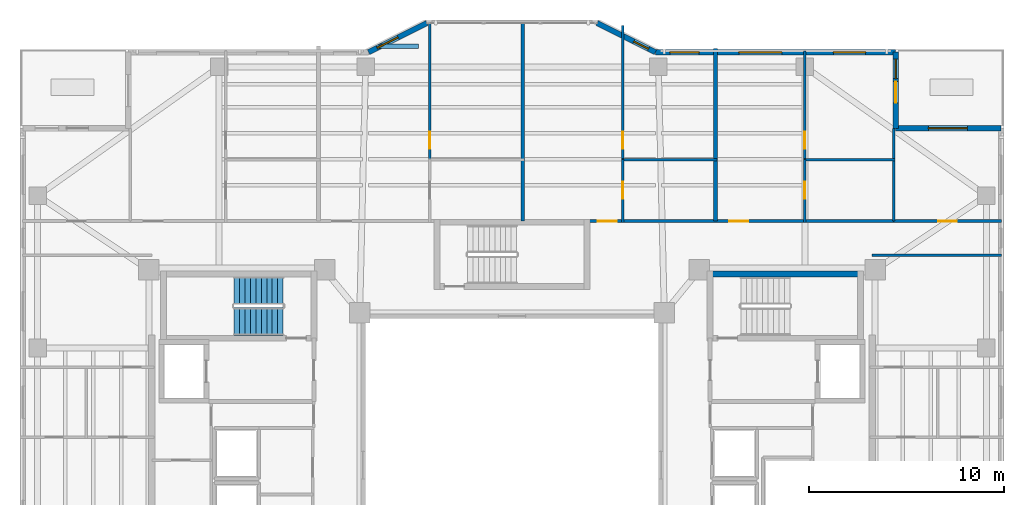
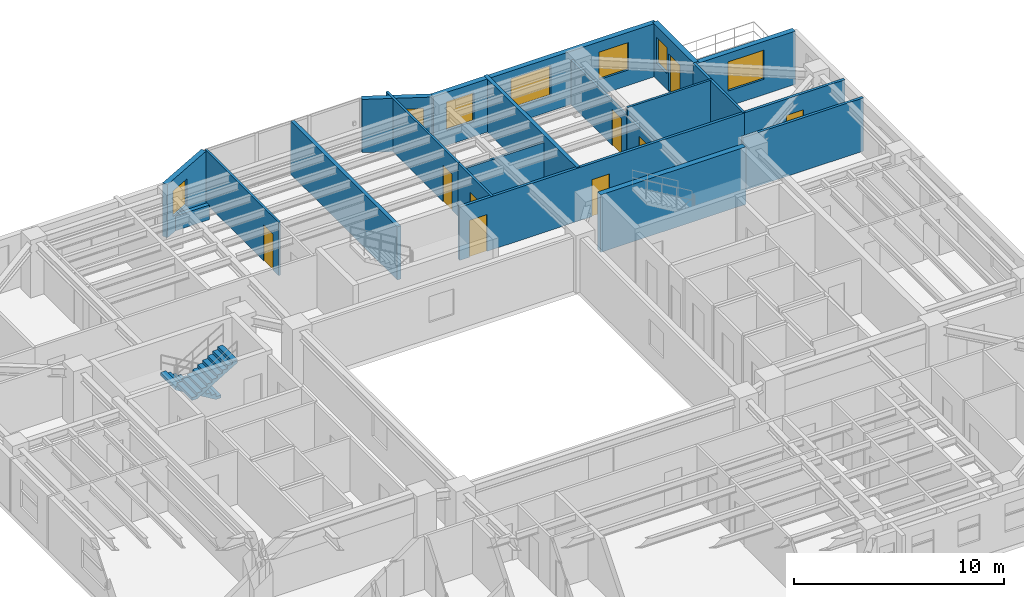
# One storey, part 11 of 17: 20 walls, 9 doors, 7 windows, 2 stair flights, 16 openings, 1 element without a shape of its own.
"""IFC4 building model written with IfcOpenShell, lengths in metres."""

from ifc_helpers import new_model, si_unit, direction, frame, frame_2d, origin, place, context, subcontext, project, spatial, polyline, rectangle, outline, extrude, material, layer, layer_set, type_object, element, fill, aggregate, save


model = new_model("IFC4")

# Units and contexts
model_context = context("Model", 3, precision=1e-05, world=origin(), true_north=direction((0.0, 1.0)))
body_context = subcontext(model_context, "Body", "Model", "MODEL_VIEW")
ifc_project = project(units=[si_unit("LENGTHUNIT", "METRE"), si_unit("AREAUNIT", "SQUARE_METRE"), si_unit("VOLUMEUNIT", "CUBIC_METRE"), si_unit("PLANEANGLEUNIT", "RADIAN"), si_unit("MASSUNIT", "GRAM", prefix="KILO")], contexts=[model_context])

# Site, building, storey
site_placement = place(None, origin())
site = spatial("IfcSite", under=ifc_project, at=site_placement, CompositionType="ELEMENT")
building_placement = place(site_placement, origin())
building = spatial("IfcBuilding", under=site, at=building_placement, Name="Tarnavaz Court Tower", CompositionType="ELEMENT")
storey_placement = place(building_placement, frame((0.0, 0.0, 132.60009765625)))
storey = spatial("IfcBuildingStorey", under=building, at=storey_placement, Name="L35", CompositionType="ELEMENT", Elevation=132.60009765625)

# Wall
ifc_material_1 = material(Name="Concrete C50/60", Category="concrete")
ifc_layer_1 = layer(ifc_material_1, 0.300048828125)
ifc_layer_set_1 = layer_set([ifc_layer_1], Name="Concrete C50/60")
wall_type_1 = type_object("IfcWallType", Name="WL-CORE-300-C50", PredefinedType="SHEAR", material=ifc_layer_set_1)
wall_1_placement = place(storey_placement, frame((10.0, 9.7900390625, 0.0), z_axis=(0.0, 0.0, 1.0), x_axis=(1.0, 0.0, 0.0)))
element("IfcWall", 1, at=wall_1_placement, inside=storey, type_object=wall_type_1, Name="L35 East Stair Core Wall 005", PredefinedType="SHEAR", context=body_context, shape_type="SweptSolid", body=[
    extrude(rectangle(XDim=8.0, YDim=0.300048828125, at=frame_2d((4.0, 0.0))), origin(), (0.0, 0.0, 1.0), 3.349853515625),
])

# Wall, opening, window
ifc_material_2 = material(Name="Precast Concrete C40/50", Category="concrete")
ifc_layer_2 = layer(ifc_material_2, 0.280029296875)
ifc_layer_set_2 = layer_set([ifc_layer_2], Name="Precast Concrete C40/50")
wall_type_2 = type_object("IfcWallType", Name="WL-EXT-280", PredefinedType="SOLIDWALL", material=ifc_layer_set_2)
wall_2_placement = place(storey_placement, frame((-7.35009765625, 21.14990234375, 0.0), z_axis=(0.0, 0.0, 1.0), x_axis=(0.894427191, 0.4472135955, 0.0)))
wall_2 = element("IfcWall", 2, at=wall_2_placement, inside=storey, type_object=wall_type_2, Name="L35 Exterior Terracotta Facade Wall 06", PredefinedType="SOLIDWALL", context=body_context, shape_type="SweptSolid", body=[
    extrude(rectangle(XDim=3.35400390625, YDim=0.280029296875, at=frame_2d((1.677001953125, 0.0))), origin(), (0.0, 0.0, 1.0), 3.099853515625),
])
opening_1_placement = place(wall_2_placement, frame((0.501220703125, 0.0, 0.949951171875)))
opening_1 = element("IfcOpeningElement", 3, at=opening_1_placement, cuts=wall_2, Name="Opening W05", PredefinedType="OPENING", context=body_context, shape_type="SweptSolid", body=[
    extrude(rectangle(XDim=1.199951171875, YDim=1.5, at=frame_2d((0.60009765625, 0.75))), frame((0.0, 0.14990234375, 0.0), z_axis=(0.0, -1.0, 0.0), x_axis=(1.0, 0.0, 0.0)), (0.0, 0.0, 1.0), 0.300048828125),
])
ifc_material_3 = material(Name="Double-Glazed Solar Low-E Glass", Category="glass")
window_type_1 = type_object("IfcWindowType", Name="WN-APT-1200", PartitioningType="SINGLE_PANEL", PredefinedType="WINDOW", material=ifc_material_3)
window_1_placement = place(opening_1_placement, origin())
window_1 = element("IfcWindow", 4, at=window_1_placement, inside=storey, type_object=window_type_1, Name="L35 Flat 02 Studio Living and Sleeping Room Window", OverallHeight=1.5, OverallWidth=1.199951171875, PartitioningType="SINGLE_PANEL", PredefinedType="WINDOW", context=body_context, shape_type="SweptSolid", body=[
    extrude(rectangle(XDim=1.199951171875, YDim=1.5, at=frame_2d((0.60009765625, 0.75))), frame((0.0, 0.030029296875, 0.0), z_axis=(0.0, -1.0, 0.0), x_axis=(1.0, 0.0, 0.0)), (0.0, 0.0, 1.0), 0.06005859375),
])
fill(opening_1, window_1)

wall_3_placement = place(storey_placement, frame((4.35009765625, 22.64990234375, 0.0), z_axis=(0.0, 0.0, 1.0), x_axis=(0.894427191, -0.4472135955, 0.0)))
wall_3 = element("IfcWall", 5, at=wall_3_placement, inside=storey, type_object=wall_type_2, Name="L35 Exterior Terracotta Facade Wall 08", PredefinedType="SOLIDWALL", context=body_context, shape_type="SweptSolid", body=[
    extrude(rectangle(XDim=3.35400390625, YDim=0.280029296875, at=frame_2d((1.677001953125, 0.0))), origin(), (0.0, 0.0, 1.0), 3.099853515625),
])
opening_2_placement = place(wall_3_placement, frame((2.1083984375, 0.0, 0.949951171875)))
opening_2 = element("IfcOpeningElement", 6, at=opening_2_placement, cuts=wall_3, Name="Opening W15", PredefinedType="OPENING", context=body_context, shape_type="SweptSolid", body=[
    extrude(rectangle(XDim=0.85009765625, YDim=1.5, at=frame_2d((0.425048828125, 0.75))), frame((0.0, 0.14990234375, 0.0), z_axis=(0.0, -1.0, 0.0), x_axis=(1.0, 0.0, 0.0)), (0.0, 0.0, 1.0), 0.300048828125),
])
window_type_2 = type_object("IfcWindowType", Name="WN-APT-850", PartitioningType="SINGLE_PANEL", PredefinedType="WINDOW", material=ifc_material_3)
window_2_placement = place(opening_2_placement, origin())
window_2 = element("IfcWindow", 7, at=window_2_placement, inside=storey, type_object=window_type_2, Name="L35 Flat 03 Kitchen Window", OverallHeight=1.5, OverallWidth=0.85009765625, PartitioningType="SINGLE_PANEL", PredefinedType="WINDOW", context=body_context, shape_type="SweptSolid", body=[
    extrude(rectangle(XDim=0.85009765625, YDim=1.5, at=frame_2d((0.425048828125, 0.75))), frame((0.0, 0.030029296875, 0.0), z_axis=(0.0, -1.0, 0.0), x_axis=(1.0, 0.0, 0.0)), (0.0, 0.0, 1.0), 0.06005859375),
])
fill(opening_2, window_2)

# Wall, openings, windows
wall_4_placement = place(storey_placement, frame((7.35009765625, 21.14990234375, 0.0), z_axis=(0.0, 0.0, 1.0), x_axis=(1.0, 0.0, 0.0)))
wall_4 = element("IfcWall", 8, at=wall_4_placement, inside=storey, type_object=wall_type_2, Name="L35 Exterior Terracotta Facade Wall 09", PredefinedType="SOLIDWALL", context=body_context, shape_type="SweptSolid", body=[
    extrude(rectangle(XDim=12.2998046875, YDim=0.280029296875, at=frame_2d((6.14990234375, 0.0))), origin(), (0.0, 0.0, 1.0), 3.099853515625),
])
opening_3_placement = place(wall_4_placement, frame((0.73095703125, 0.0, 0.89990234375)))
opening_3 = element("IfcOpeningElement", 9, at=opening_3_placement, cuts=wall_4, Name="Opening W03", PredefinedType="OPENING", context=body_context, shape_type="SweptSolid", body=[
    extrude(rectangle(XDim=1.5, YDim=1.64990234375, at=frame_2d((0.75, 0.824951171875))), frame((0.0, 0.14990234375, 0.0), z_axis=(0.0, -1.0, 0.0), x_axis=(1.0, 0.0, 0.0)), (0.0, 0.0, 1.0), 0.300048828125),
])
opening_4_placement = place(wall_4_placement, frame((4.271728515625, 0.0, 0.89990234375)))
opening_4 = element("IfcOpeningElement", 10, at=opening_4_placement, cuts=wall_4, Name="Opening W07", PredefinedType="OPENING", context=body_context, shape_type="SweptSolid", body=[
    extrude(rectangle(XDim=2.199951171875, YDim=1.75, at=frame_2d((1.10009765625, 0.875))), frame((0.0, 0.14990234375, 0.0), z_axis=(0.0, -1.0, 0.0), x_axis=(1.0, 0.0, 0.0)), (0.0, 0.0, 1.0), 0.300048828125),
])
opening_5_placement = place(wall_4_placement, frame((9.115478515625, 0.0, 0.89990234375)))
opening_5 = element("IfcOpeningElement", 11, at=opening_5_placement, cuts=wall_4, Name="Opening W02", PredefinedType="OPENING", context=body_context, shape_type="SweptSolid", body=[
    extrude(rectangle(XDim=1.64990234375, YDim=1.60009765625, at=frame_2d((0.824951171875, 0.800048828125))), frame((0.0, 0.14990234375, 0.0), z_axis=(0.0, -1.0, 0.0), x_axis=(1.0, 0.0, 0.0)), (0.0, 0.0, 1.0), 0.300048828125),
])
window_type_3 = type_object("IfcWindowType", Name="WN-APT-1500", PartitioningType="DOUBLE_PANEL_VERTICAL", PredefinedType="WINDOW", material=ifc_material_3)
window_3_placement = place(opening_3_placement, origin())
window_3 = element("IfcWindow", 12, at=window_3_placement, inside=storey, type_object=window_type_3, Name="L35 Flat 03 Kitchen Window", OverallHeight=1.64990234375, OverallWidth=1.5, PartitioningType="SINGLE_PANEL", PredefinedType="WINDOW", context=body_context, shape_type="SweptSolid", body=[
    extrude(rectangle(XDim=1.5, YDim=1.64990234375, at=frame_2d((0.75, 0.824951171875))), frame((0.0, 0.030029296875, 0.0), z_axis=(0.0, -1.0, 0.0), x_axis=(1.0, 0.0, 0.0)), (0.0, 0.0, 1.0), 0.06005859375),
])
fill(opening_3, window_3)
window_type_4 = type_object("IfcWindowType", Name="WN-APT-1650", PartitioningType="DOUBLE_PANEL_VERTICAL", PredefinedType="WINDOW", material=ifc_material_3)
window_4_placement = place(opening_5_placement, origin())
window_4 = element("IfcWindow", 13, at=window_4_placement, inside=storey, type_object=window_type_4, Name="L35 Flat 04 Kitchen Window", OverallHeight=1.60009765625, OverallWidth=1.64990234375, PartitioningType="SINGLE_PANEL", PredefinedType="WINDOW", context=body_context, shape_type="SweptSolid", body=[
    extrude(rectangle(XDim=1.64990234375, YDim=1.60009765625, at=frame_2d((0.824951171875, 0.800048828125))), frame((0.0, 0.030029296875, 0.0), z_axis=(0.0, -1.0, 0.0), x_axis=(1.0, 0.0, 0.0)), (0.0, 0.0, 1.0), 0.06005859375),
])
fill(opening_5, window_4)
window_type_5 = type_object("IfcWindowType", Name="WN-APT-2200", PartitioningType="TRIPLE_PANEL_VERTICAL", PredefinedType="WINDOW", material=ifc_material_3)
window_5_placement = place(opening_4_placement, origin())
window_5 = element("IfcWindow", 14, at=window_5_placement, inside=storey, type_object=window_type_5, Name="L35 Flat 04 Studio Living and Sleeping Room Window", OverallHeight=1.75, OverallWidth=2.199951171875, PartitioningType="SINGLE_PANEL", PredefinedType="WINDOW", context=body_context, shape_type="SweptSolid", body=[
    extrude(rectangle(XDim=2.199951171875, YDim=1.75, at=frame_2d((1.10009765625, 0.875))), frame((0.0, 0.030029296875, 0.0), z_axis=(0.0, -1.0, 0.0), x_axis=(1.0, 0.0, 0.0)), (0.0, 0.0, 1.0), 0.06005859375),
])
fill(opening_4, window_5)

# Wall, openings, door, window
wall_5_placement = place(storey_placement, frame((19.64990234375, 21.14990234375, 0.0), z_axis=(0.0, 0.0, 1.0), x_axis=(0.0, -1.0, 0.0)))
wall_5 = element("IfcWall", 15, at=wall_5_placement, inside=storey, type_object=wall_type_2, Name="L35 Exterior Terracotta Facade Wall 10", PredefinedType="SOLIDWALL", context=body_context, shape_type="SweptSolid", body=[
    extrude(rectangle(XDim=3.89990234375, YDim=0.280029296875, at=frame_2d((1.949951171875, 0.0))), origin(), (0.0, 0.0, 1.0), 3.099853515625),
])
opening_6_placement = place(wall_5_placement, frame((1.5, 0.0, 0.0)))
opening_6 = element("IfcOpeningElement", 16, at=opening_6_placement, cuts=wall_5, Name="Opening TD1", PredefinedType="OPENING", context=body_context, shape_type="SweptSolid", body=[
    extrude(rectangle(XDim=1.10009765625, YDim=2.199951171875, at=frame_2d((0.550048828125, 1.10009765625))), frame((0.0, 0.14990234375, 0.0), z_axis=(0.0, -1.0, 0.0), x_axis=(1.0, 0.0, 0.0)), (0.0, 0.0, 1.0), 0.300048828125),
])
opening_7_placement = place(wall_5_placement, frame((0.355224609375, 0.0, 0.949951171875)))
opening_7 = element("IfcOpeningElement", 17, at=opening_7_placement, cuts=wall_5, Name="Opening W14", PredefinedType="OPENING", context=body_context, shape_type="SweptSolid", body=[
    extrude(rectangle(XDim=1.0, YDim=1.5, at=frame_2d((0.5, 0.75))), frame((0.0, 0.14990234375, 0.0), z_axis=(0.0, -1.0, 0.0), x_axis=(1.0, 0.0, 0.0)), (0.0, 0.0, 1.0), 0.300048828125),
])
ifc_material_4 = material(Name="Thermally Broken Aluminium and Laminated Glass", Category="aluminium")
door_type_1 = type_object("IfcDoorType", Name="DR-TERR-1100", OperationType="NOTDEFINED", PredefinedType="DOOR", material=ifc_material_4)
door_1_placement = place(opening_6_placement, origin())
door_1 = element("IfcDoor", 18, at=door_1_placement, inside=storey, type_object=door_type_1, Name="L35 Sky Terrace Access Door 1", OperationType="SINGLE_SWING_LEFT", OverallHeight=2.199951171875, OverallWidth=1.10009765625, PredefinedType="DOOR", context=body_context, shape_type="SweptSolid", body=[
    extrude(rectangle(XDim=1.10009765625, YDim=2.199951171875, at=frame_2d((0.550048828125, 1.10009765625))), frame((0.0, 0.02490234375, 0.0), z_axis=(0.0, -1.0, 0.0), x_axis=(1.0, 0.0, 0.0)), (0.0, 0.0, 1.0), 0.050048828125),
])
fill(opening_6, door_1)
window_type_6 = type_object("IfcWindowType", Name="WN-APT-1000", PartitioningType="SINGLE_PANEL", PredefinedType="WINDOW", material=ifc_material_3)
window_6_placement = place(opening_7_placement, origin())
window_6 = element("IfcWindow", 19, at=window_6_placement, inside=storey, type_object=window_type_6, Name="L35 Flat 04 Kitchen Window", OverallHeight=1.5, OverallWidth=1.0, PartitioningType="SINGLE_PANEL", PredefinedType="WINDOW", context=body_context, shape_type="SweptSolid", body=[
    extrude(rectangle(XDim=1.0, YDim=1.5, at=frame_2d((0.5, 0.75))), frame((0.0, 0.030029296875, 0.0), z_axis=(0.0, -1.0, 0.0), x_axis=(1.0, 0.0, 0.0)), (0.0, 0.0, 1.0), 0.06005859375),
])
fill(opening_7, window_6)

# Wall, opening, window
wall_6_placement = place(storey_placement, frame((19.64990234375, 17.25, 0.0), z_axis=(0.0, 0.0, 1.0), x_axis=(1.0, 0.0, 0.0)))
wall_6 = element("IfcWall", 20, at=wall_6_placement, inside=storey, type_object=wall_type_2, Name="L35 Exterior Terracotta Facade Wall 11", PredefinedType="SOLIDWALL", context=body_context, shape_type="SweptSolid", body=[
    extrude(rectangle(XDim=5.400146484375, YDim=0.280029296875, at=frame_2d((2.7001953125, 0.0))), origin(), (0.0, 0.0, 1.0), 3.099853515625),
])
opening_8_placement = place(wall_6_placement, frame((1.675048828125, 0.0, 0.89990234375)))
opening_8 = element("IfcOpeningElement", 21, at=opening_8_placement, cuts=wall_6, Name="Opening W08", PredefinedType="OPENING", context=body_context, shape_type="SweptSolid", body=[
    extrude(rectangle(XDim=2.0, YDim=1.699951171875, at=frame_2d((1.0, 0.85009765625))), frame((0.0, 0.14990234375, 0.0), z_axis=(0.0, -1.0, 0.0), x_axis=(1.0, 0.0, 0.0)), (0.0, 0.0, 1.0), 0.300048828125),
])
window_type_7 = type_object("IfcWindowType", Name="WN-APT-2000", PartitioningType="DOUBLE_PANEL_VERTICAL", PredefinedType="WINDOW", material=ifc_material_3)
window_7_placement = place(opening_8_placement, origin())
window_7 = element("IfcWindow", 22, at=window_7_placement, inside=storey, type_object=window_type_7, Name="L35 North-East Corner Sunroom Study Window", OverallHeight=1.699951171875, OverallWidth=2.0, PartitioningType="SINGLE_PANEL", PredefinedType="WINDOW", context=body_context, shape_type="SweptSolid", body=[
    extrude(rectangle(XDim=2.0, YDim=1.699951171875, at=frame_2d((1.0, 0.85009765625))), frame((0.0, 0.030029296875, 0.0), z_axis=(0.0, -1.0, 0.0), x_axis=(1.0, 0.0, 0.0)), (0.0, 0.0, 1.0), 0.06005859375),
])
fill(opening_8, window_7)

# Wall, openings, doors
ifc_material_5 = material(Name="Gypsum Fire-Board on Acoustic Metal Stud", Category="masonry")
ifc_layer_3 = layer(ifc_material_5, 0.14990234375)
ifc_layer_set_3 = layer_set([ifc_layer_3], Name="Gypsum Fire-Board on Acoustic Metal Stud")
wall_type_3 = type_object("IfcWallType", Name="WL-FIRE-150", PredefinedType="PARTITIONING", material=ifc_layer_set_3)
wall_7_placement = place(storey_placement, frame((3.85009765625, 12.5, 0.0), z_axis=(0.0, 0.0, 1.0), x_axis=(1.0, 0.0, 0.0)))
wall_7 = element("IfcWall", 23, at=wall_7_placement, inside=storey, type_object=wall_type_3, Name="L35 NE Wing Corridor Wall 072", PredefinedType="PARTITIONING", context=body_context, shape_type="SweptSolid", body=[
    extrude(rectangle(XDim=15.699951171875, YDim=0.14990234375, at=frame_2d((7.85009765625, 0.0))), origin(), (0.0, 0.0, 1.0), 3.099853515625),
])
opening_9_placement = place(wall_7_placement, frame((0.550048828125, 0.0, 0.0)))
opening_9 = element("IfcOpeningElement", 24, at=opening_9_placement, cuts=wall_7, Name="Opening D06", PredefinedType="OPENING", context=body_context, shape_type="SweptSolid", body=[
    extrude(rectangle(XDim=0.9599609375, YDim=2.14990234375, at=frame_2d((0.47998046875, 1.074951171875))), frame((0.0, 0.0849609375, 0.0), z_axis=(0.0, -1.0, 0.0), x_axis=(1.0, 0.0, 0.0)), (0.0, 0.0, 1.0), 0.169921875),
])
opening_10_placement = place(wall_7_placement, frame((7.280029296875, 0.0, 0.0)))
opening_10 = element("IfcOpeningElement", 25, at=opening_10_placement, cuts=wall_7, Name="Opening D06", PredefinedType="OPENING", context=body_context, shape_type="SweptSolid", body=[
    extrude(rectangle(XDim=0.9599609375, YDim=2.14990234375, at=frame_2d((0.47998046875, 1.074951171875))), frame((0.0, 0.0849609375, 0.0), z_axis=(0.0, -1.0, 0.0), x_axis=(1.0, 0.0, 0.0)), (0.0, 0.0, 1.0), 0.169921875),
])
ifc_material_6 = material(Name="Fire-Rated Hardwood Timber Core", Category="wood")
door_type_2 = type_object("IfcDoorType", Name="DR-FD60-950", OperationType="NOTDEFINED", PredefinedType="DOOR", material=ifc_material_6)
door_2_placement = place(opening_9_placement, origin())
door_2 = element("IfcDoor", 26, at=door_2_placement, inside=storey, type_object=door_type_2, Name="L35 Flat 03 Entrance Door", OperationType="SINGLE_SWING_LEFT", OverallHeight=2.14990234375, OverallWidth=0.9599609375, PredefinedType="DOOR", context=body_context, shape_type="SweptSolid", body=[
    extrude(rectangle(XDim=0.9599609375, YDim=2.14990234375, at=frame_2d((0.47998046875, 1.074951171875))), frame((0.0, 0.02490234375, 0.0), z_axis=(0.0, -1.0, 0.0), x_axis=(1.0, 0.0, 0.0)), (0.0, 0.0, 1.0), 0.050048828125),
])
fill(opening_9, door_2)
door_3_placement = place(opening_10_placement, origin())
door_3 = element("IfcDoor", 27, at=door_3_placement, inside=storey, type_object=door_type_2, Name="L35 Flat 04 Entrance Door", OperationType="SINGLE_SWING_RIGHT", OverallHeight=2.14990234375, OverallWidth=0.9599609375, PredefinedType="DOOR", context=body_context, shape_type="SweptSolid", body=[
    extrude(rectangle(XDim=0.9599609375, YDim=2.14990234375, at=frame_2d((0.47998046875, 1.074951171875))), frame((0.0, 0.02490234375, 0.0), z_axis=(0.0, -1.0, 0.0), x_axis=(1.0, 0.0, 0.0)), (0.0, 0.0, 1.0), 0.050048828125),
])
fill(opening_10, door_3)

# Wall
wall_8_placement = place(storey_placement, frame((18.449951171875, 10.75, 0.0), z_axis=(0.0, 0.0, 1.0), x_axis=(1.0, 0.0, 0.0)))
element("IfcWall", 28, at=wall_8_placement, inside=storey, type_object=wall_type_3, Name="L35 Interior Partition 117", PredefinedType="PARTITIONING", context=body_context, shape_type="SweptSolid", body=[
    extrude(rectangle(XDim=6.630126953125, YDim=0.14990234375, at=frame_2d((3.31494140625, 0.0))), origin(), (0.0, 0.0, 1.0), 3.099853515625),
])

# Wall, opening, door
wall_9_placement = place(storey_placement, frame((19.550048828125, 12.5, 0.0), z_axis=(0.0, 0.0, 1.0), x_axis=(1.0, 0.0, 0.0)))
wall_9 = element("IfcWall", 29, at=wall_9_placement, inside=storey, type_object=wall_type_3, Name="L35 Interior Partition 123", PredefinedType="PARTITIONING", context=body_context, shape_type="SweptSolid", body=[
    extrude(rectangle(XDim=5.530029296875, YDim=0.14990234375, at=frame_2d((2.76513671875, 0.0))), origin(), (0.0, 0.0, 1.0), 3.099853515625),
])
opening_11_placement = place(wall_9_placement, frame((2.2900390625, 0.0, 0.0)))
opening_11 = element("IfcOpeningElement", 30, at=opening_11_placement, cuts=wall_9, Name="Opening D13", PredefinedType="OPENING", context=body_context, shape_type="SweptSolid", body=[
    extrude(rectangle(XDim=0.949951171875, YDim=2.14990234375, at=frame_2d((0.47509765625, 1.074951171875))), frame((0.0, 0.0849609375, 0.0), z_axis=(0.0, -1.0, 0.0), x_axis=(1.0, 0.0, 0.0)), (0.0, 0.0, 1.0), 0.169921875),
])
ifc_material_7 = material(Name="Engineered Oak Timber", Category="wood")
door_type_3 = type_object("IfcDoorType", Name="DR-INT-950", OperationType="NOTDEFINED", PredefinedType="DOOR", material=ifc_material_7)
door_4_placement = place(opening_11_placement, origin())
door_4 = element("IfcDoor", 31, at=door_4_placement, inside=storey, type_object=door_type_3, Name="L35 NE Sunroom Door", OperationType="SINGLE_SWING_RIGHT", OverallHeight=2.14990234375, OverallWidth=0.949951171875, PredefinedType="DOOR", context=body_context, shape_type="SweptSolid", body=[
    extrude(rectangle(XDim=0.949951171875, YDim=2.14990234375, at=frame_2d((0.47509765625, 1.074951171875))), frame((0.0, 0.02490234375, 0.0), z_axis=(0.0, -1.0, 0.0), x_axis=(1.0, 0.0, 0.0)), (0.0, 0.0, 1.0), 0.050048828125),
])
fill(opening_11, door_4)

# Walls
ifc_material_8 = material(Name="Autoclaved Aerated Concrete Blockwork", Category="masonry")
ifc_layer_4 = layer(ifc_material_8, 0.199951171875)
ifc_layer_set_4 = layer_set([ifc_layer_4], Name="Autoclaved Aerated Concrete Blockwork")
wall_type_4 = type_object("IfcWallType", Name="WL-FIRE-200", PredefinedType="SOLIDWALL", material=ifc_layer_set_4)
wall_10_placement = place(storey_placement, frame((0.550048828125, 12.5, 0.0), z_axis=(0.0, 0.0, 1.0), x_axis=(0.0, 1.0, 0.0)))
element("IfcWall", 32, at=wall_10_placement, inside=storey, type_object=wall_type_4, Name="L35 North Center Party Wall 075", PredefinedType="SOLIDWALL", context=body_context, shape_type="SweptSolid", body=[
    extrude(rectangle(XDim=10.179931640625, YDim=0.199951171875, at=frame_2d((5.08984375, 0.0))), origin(), (0.0, 0.0, 1.0), 3.099853515625),
])
wall_11_placement = place(storey_placement, frame((10.429931640625, 12.5, 0.0), z_axis=(0.0, 0.0, 1.0), x_axis=(0.0, 1.0, 0.0)))
element("IfcWall", 33, at=wall_11_placement, inside=storey, type_object=wall_type_4, Name="L35 Party Wall 083", PredefinedType="SOLIDWALL", context=body_context, shape_type="SweptSolid", body=[
    extrude(rectangle(XDim=8.841064453125, YDim=0.199951171875, at=frame_2d((4.42041015625, 0.0))), origin(), (0.0, 0.0, 1.0), 3.099853515625),
])
ifc_layer_5 = layer(ifc_material_2, 0.219970703125)
ifc_layer_set_5 = layer_set([ifc_layer_5], Name="Precast Concrete C40/50")
wall_type_5 = type_object("IfcWallType", Name="WL-PARAPET-220", PredefinedType="PARAPET", material=ifc_layer_set_5)
wall_12_placement = place(storey_placement, frame((-6.800048828125, 21.449951171875, 0.0), z_axis=(0.0, 0.0, 1.0), x_axis=(1.0, 0.0, 0.0)))
element("IfcWall", 34, at=wall_12_placement, inside=storey, type_object=wall_type_5, Name="L35 North Prow Terracotta Parapet Upstand", PredefinedType="PARAPET", context=body_context, shape_type="SweptSolid", body=[
    extrude(rectangle(XDim=2.0, YDim=0.219970703125, at=frame_2d((1.0, 0.0))), origin(), (0.0, 0.0, 1.0), 0.849853515625),
])

# Wall, opening, door
ifc_material_9 = material(Name="Moisture-Resistant Gypsum Board Partition", Category="masonry")
ifc_layer_6 = layer(ifc_material_9, 0.1201171875)
ifc_layer_set_6 = layer_set([ifc_layer_6], Name="Moisture-Resistant Gypsum Board Partition")
wall_type_6 = type_object("IfcWallType", Name="WL-PART-120", PredefinedType="PARTITIONING", material=ifc_layer_set_6)
wall_13_placement = place(storey_placement, frame((-4.2099609375, 15.64990234375, 0.0), z_axis=(0.0, 0.0, 1.0), x_axis=(0.0, 1.0, 0.0)))
wall_13 = element("IfcWall", 35, at=wall_13_placement, inside=storey, type_object=wall_type_6, Name="L35 Interior Partition 081", PredefinedType="PARTITIONING", context=body_context, shape_type="SweptSolid", body=[
    extrude(rectangle(XDim=7.030029296875, YDim=0.1201171875, at=frame_2d((3.51513671875, 0.0))), origin(), (0.0, 0.0, 1.0), 3.099853515625),
])
opening_12_placement = place(wall_13_placement, frame((0.550048828125, 0.0, 0.0)))
opening_12 = element("IfcOpeningElement", 36, at=opening_12_placement, cuts=wall_13, Name="Opening D14", PredefinedType="OPENING", context=body_context, shape_type="SweptSolid", body=[
    extrude(rectangle(XDim=0.8798828125, YDim=2.10009765625, at=frame_2d((0.43994140625, 1.050048828125))), frame((0.0, 0.070068359375, 0.0), z_axis=(0.0, -1.0, 0.0), x_axis=(1.0, 0.0, 0.0)), (0.0, 0.0, 1.0), 0.14013671875),
])
door_type_4 = type_object("IfcDoorType", Name="DR-INT-900", OperationType="NOTDEFINED", PredefinedType="DOOR", material=ifc_material_7)
door_5_placement = place(opening_12_placement, origin())
door_5 = element("IfcDoor", 37, at=door_5_placement, inside=storey, type_object=door_type_4, Name="L35 Flat 02 Kitchen Door", OperationType="SINGLE_SWING_RIGHT", OverallHeight=2.10009765625, OverallWidth=0.8798828125, PredefinedType="DOOR", context=body_context, shape_type="SweptSolid", body=[
    extrude(rectangle(XDim=0.8798828125, YDim=2.10009765625, at=frame_2d((0.43994140625, 1.050048828125))), frame((0.0, 0.02490234375, 0.0), z_axis=(0.0, -1.0, 0.0), x_axis=(1.0, 0.0, 0.0)), (0.0, 0.0, 1.0), 0.050048828125),
])
fill(opening_12, door_5)

wall_14_placement = place(storey_placement, frame((5.669921875, 12.43994140625, 0.0), z_axis=(0.0, 0.0, 1.0), x_axis=(0.0, 1.0, 0.0)))
wall_14 = element("IfcWall", 38, at=wall_14_placement, inside=storey, type_object=wall_type_6, Name="L35 Interior Partition 084", PredefinedType="PARTITIONING", context=body_context, shape_type="SweptSolid", body=[
    extrude(rectangle(XDim=3.2099609375, YDim=0.1201171875, at=frame_2d((1.60498046875, 0.0))), origin(), (0.0, 0.0, 1.0), 3.099853515625),
])
opening_13_placement = place(wall_14_placement, frame((1.195068359375, 0.0, 0.0)))
opening_13 = element("IfcOpeningElement", 39, at=opening_13_placement, cuts=wall_14, Name="Opening D14", PredefinedType="OPENING", context=body_context, shape_type="SweptSolid", body=[
    extrude(rectangle(XDim=0.8798828125, YDim=2.10009765625, at=frame_2d((0.43994140625, 1.050048828125))), frame((0.0, 0.070068359375, 0.0), z_axis=(0.0, -1.0, 0.0), x_axis=(1.0, 0.0, 0.0)), (0.0, 0.0, 1.0), 0.14013671875),
])
door_6_placement = place(opening_13_placement, origin())
door_6 = element("IfcDoor", 40, at=door_6_placement, inside=storey, type_object=door_type_4, Name="L35 Flat 03 Bathroom Door", OperationType="SINGLE_SWING_RIGHT", OverallHeight=2.10009765625, OverallWidth=0.8798828125, PredefinedType="DOOR", context=body_context, shape_type="SweptSolid", body=[
    extrude(rectangle(XDim=0.8798828125, YDim=2.10009765625, at=frame_2d((0.43994140625, 1.050048828125))), frame((0.0, 0.02490234375, 0.0), z_axis=(0.0, -1.0, 0.0), x_axis=(1.0, 0.0, 0.0)), (0.0, 0.0, 1.0), 0.050048828125),
])
fill(opening_13, door_6)

wall_15_placement = place(storey_placement, frame((5.669921875, 15.64990234375, 0.0), z_axis=(0.0, 0.0, 1.0), x_axis=(0.0, 1.0, 0.0)))
wall_15 = element("IfcWall", 41, at=wall_15_placement, inside=storey, type_object=wall_type_6, Name="L35 Interior Partition 085", PredefinedType="PARTITIONING", context=body_context, shape_type="SweptSolid", body=[
    extrude(rectangle(XDim=6.864990234375, YDim=0.1201171875, at=frame_2d((3.4326171875, 0.0))), origin(), (0.0, 0.0, 1.0), 3.099853515625),
])
opening_14_placement = place(wall_15_placement, frame((0.550048828125, 0.0, 0.0)))
opening_14 = element("IfcOpeningElement", 42, at=opening_14_placement, cuts=wall_15, Name="Opening D14", PredefinedType="OPENING", context=body_context, shape_type="SweptSolid", body=[
    extrude(rectangle(XDim=0.8798828125, YDim=2.10009765625, at=frame_2d((0.43994140625, 1.050048828125))), frame((0.0, 0.070068359375, 0.0), z_axis=(0.0, -1.0, 0.0), x_axis=(1.0, 0.0, 0.0)), (0.0, 0.0, 1.0), 0.14013671875),
])
door_7_placement = place(opening_14_placement, origin())
door_7 = element("IfcDoor", 43, at=door_7_placement, inside=storey, type_object=door_type_4, Name="L35 Flat 03 Kitchen Door", OperationType="SINGLE_SWING_LEFT", OverallHeight=2.10009765625, OverallWidth=0.8798828125, PredefinedType="DOOR", context=body_context, shape_type="SweptSolid", body=[
    extrude(rectangle(XDim=0.8798828125, YDim=2.10009765625, at=frame_2d((0.43994140625, 1.050048828125))), frame((0.0, 0.02490234375, 0.0), z_axis=(0.0, -1.0, 0.0), x_axis=(1.0, 0.0, 0.0)), (0.0, 0.0, 1.0), 0.050048828125),
])
fill(opening_14, door_7)

# Wall
wall_16_placement = place(storey_placement, frame((5.610107421875, 15.64990234375, 0.0), z_axis=(0.0, 0.0, 1.0), x_axis=(1.0, 0.0, 0.0)))
element("IfcWall", 44, at=wall_16_placement, inside=storey, type_object=wall_type_6, Name="L35 Interior Partition 086", PredefinedType="PARTITIONING", context=body_context, shape_type="SweptSolid", body=[
    extrude(rectangle(XDim=4.8798828125, YDim=0.1201171875, at=frame_2d((2.43994140625, 0.0))), origin(), (0.0, 0.0, 1.0), 2.684814453125),
])

# Wall, opening, door
wall_17_placement = place(storey_placement, frame((14.989990234375, 12.43994140625, 0.0), z_axis=(0.0, 0.0, 1.0), x_axis=(0.0, 1.0, 0.0)))
wall_17 = element("IfcWall", 45, at=wall_17_placement, inside=storey, type_object=wall_type_6, Name="L35 Interior Partition 087", PredefinedType="PARTITIONING", context=body_context, shape_type="SweptSolid", body=[
    extrude(rectangle(XDim=3.2099609375, YDim=0.1201171875, at=frame_2d((1.60498046875, 0.0))), origin(), (0.0, 0.0, 1.0), 2.5849609375),
])
opening_15_placement = place(wall_17_placement, frame((1.195068359375, 0.0, 0.0)))
opening_15 = element("IfcOpeningElement", 46, at=opening_15_placement, cuts=wall_17, Name="Opening D14", PredefinedType="OPENING", context=body_context, shape_type="SweptSolid", body=[
    extrude(rectangle(XDim=0.8798828125, YDim=2.10009765625, at=frame_2d((0.43994140625, 1.050048828125))), frame((0.0, 0.070068359375, 0.0), z_axis=(0.0, -1.0, 0.0), x_axis=(1.0, 0.0, 0.0)), (0.0, 0.0, 1.0), 0.14013671875),
])
door_8_placement = place(opening_15_placement, origin())
door_8 = element("IfcDoor", 47, at=door_8_placement, inside=storey, type_object=door_type_4, Name="L35 Flat 04 Bathroom Door", OperationType="SINGLE_SWING_LEFT", OverallHeight=2.10009765625, OverallWidth=0.8798828125, PredefinedType="DOOR", context=body_context, shape_type="SweptSolid", body=[
    extrude(rectangle(XDim=0.8798828125, YDim=2.10009765625, at=frame_2d((0.43994140625, 1.050048828125))), frame((0.0, 0.02490234375, 0.0), z_axis=(0.0, -1.0, 0.0), x_axis=(1.0, 0.0, 0.0)), (0.0, 0.0, 1.0), 0.050048828125),
])
fill(opening_15, door_8)

wall_18_placement = place(storey_placement, frame((14.989990234375, 15.64990234375, 0.0), z_axis=(0.0, 0.0, 1.0), x_axis=(0.0, 1.0, 0.0)))
wall_18 = element("IfcWall", 48, at=wall_18_placement, inside=storey, type_object=wall_type_6, Name="L35 Interior Partition 088", PredefinedType="PARTITIONING", context=body_context, shape_type="SweptSolid", body=[
    extrude(rectangle(XDim=5.550048828125, YDim=0.1201171875, at=frame_2d((2.77490234375, 0.0))), origin(), (0.0, 0.0, 1.0), 2.5849609375),
])
opening_16_placement = place(wall_18_placement, frame((0.550048828125, 0.0, 0.0)))
opening_16 = element("IfcOpeningElement", 49, at=opening_16_placement, cuts=wall_18, Name="Opening D14", PredefinedType="OPENING", context=body_context, shape_type="SweptSolid", body=[
    extrude(rectangle(XDim=0.8798828125, YDim=2.10009765625, at=frame_2d((0.43994140625, 1.050048828125))), frame((0.0, 0.070068359375, 0.0), z_axis=(0.0, -1.0, 0.0), x_axis=(1.0, 0.0, 0.0)), (0.0, 0.0, 1.0), 0.14013671875),
])
door_9_placement = place(opening_16_placement, origin())
door_9 = element("IfcDoor", 50, at=door_9_placement, inside=storey, type_object=door_type_4, Name="L35 Flat 04 Kitchen Door", OperationType="SINGLE_SWING_RIGHT", OverallHeight=2.10009765625, OverallWidth=0.8798828125, PredefinedType="DOOR", context=body_context, shape_type="SweptSolid", body=[
    extrude(rectangle(XDim=0.8798828125, YDim=2.10009765625, at=frame_2d((0.43994140625, 1.050048828125))), frame((0.0, 0.02490234375, 0.0), z_axis=(0.0, -1.0, 0.0), x_axis=(1.0, 0.0, 0.0)), (0.0, 0.0, 1.0), 0.050048828125),
])
fill(opening_16, door_9)

# Walls
wall_19_placement = place(storey_placement, frame((14.929931640625, 15.64990234375, 0.0), z_axis=(0.0, 0.0, 1.0), x_axis=(1.0, 0.0, 0.0)))
element("IfcWall", 51, at=wall_19_placement, inside=storey, type_object=wall_type_6, Name="L35 Interior Partition 089", PredefinedType="PARTITIONING", context=body_context, shape_type="SweptSolid", body=[
    extrude(rectangle(XDim=4.68017578125, YDim=0.1201171875, at=frame_2d((2.340087890625, 0.0))), origin(), (0.0, 0.0, 1.0), 3.099853515625),
])
ifc_material_10 = material(Name="Gypsum Plasterboard Acoustic Partition", Category="masonry")
ifc_layer_7 = layer(ifc_material_10, 0.139892578125)
ifc_layer_set_7 = layer_set([ifc_layer_7], Name="Gypsum Plasterboard Acoustic Partition")
wall_type_7 = type_object("IfcWallType", Name="WL-PART-150", PredefinedType="PARTITIONING", material=ifc_layer_set_7)
wall_20_placement = place(storey_placement, frame((19.550048828125, 12.5, 0.0), z_axis=(0.0, 0.0, 1.0), x_axis=(0.0, 1.0, 0.0)))
element("IfcWall", 52, at=wall_20_placement, inside=storey, type_object=wall_type_7, Name="L35 Interior Partition 121", PredefinedType="PARTITIONING", context=body_context, shape_type="SweptSolid", body=[
    extrude(rectangle(XDim=4.75, YDim=0.139892578125, at=frame_2d((2.375, 0.0))), origin(), (0.0, 0.0, 1.0), 3.099853515625),
])

# Stair, stair flights
ifc_material_11 = material(Name="Concrete C40/50", Category="concrete")
stair_type = type_object("IfcStairType", Name="ST-TWR-20R", PredefinedType="HALF_TURN_STAIR", material=ifc_material_11)
stair_placement = place(storey_placement, origin())
stair = element("IfcStair", 53, at=stair_placement, inside=storey, type_object=stair_type, Name="L35 West Core Pressurized Exit Stair ST-W1", PredefinedType="HALF_TURN_STAIR")
stair_flight_type = type_object("IfcStairFlightType", Name="SFL-RC-20R", PredefinedType="STRAIGHT", material=ifc_material_11)
stair_flight_1_placement = place(storey_placement, frame((-11.719970703125, 8.929931640625, 0.0), z_axis=(0.0, 0.0, 1.0), x_axis=(-1.0, 0.0, 0.0)))
stair_flight_1 = element("IfcStairFlight", 54, at=stair_flight_1_placement, type_object=stair_flight_type, Name="ST-W1 flight 1", NumberOfRisers=10, NumberOfTreads=9, PredefinedType="STRAIGHT", RiserHeight=0.1675, TreadLength=0.28, context=body_context, shape_type="SweptSolid", body=[
    extrude(outline(polyline([(0.0, 0.0), (0.0, 0.16748046875), (0.280029296875, 0.16748046875), (0.280029296875, 0.3349609375), (0.56005859375, 0.3349609375), (0.56005859375, 0.50244140625), (0.840087890625, 0.50244140625), (0.840087890625, 0.669921875), (1.1201171875, 0.669921875), (1.1201171875, 0.83740234375), (1.39990234375, 0.83740234375), (1.39990234375, 1.0048828125), (1.679931640625, 1.0048828125), (1.679931640625, 1.172607421875), (1.9599609375, 1.172607421875), (1.9599609375, 1.340087890625), (2.239990234375, 1.340087890625), (2.239990234375, 1.507568359375), (2.52001953125, 1.507568359375), (2.52001953125, 1.675048828125), (2.52001953125, 1.332763671875), (0.2919921875, 0.0), (0.0, 0.0)])), frame((0.0, 0.7099609375, 0.0), z_axis=(0.0, -1.0, 0.0), x_axis=(1.0, 0.0, 0.0)), (0.0, 0.0, 1.0), 1.419921875),
])
stair_flight_2_placement = place(storey_placement, frame((-14.239990234375, 7.360107421875, 1.6748046875), z_axis=(0.0, 0.0, 1.0), x_axis=(1.0, 0.0, 0.0)))
stair_flight_2 = element("IfcStairFlight", 55, at=stair_flight_2_placement, type_object=stair_flight_type, Name="ST-W1 flight 2", NumberOfRisers=10, NumberOfTreads=9, PredefinedType="STRAIGHT", RiserHeight=0.1675, TreadLength=0.28, context=body_context, shape_type="SweptSolid", body=[
    extrude(outline(polyline([(0.0, 0.0), (0.0, 0.16748046875), (0.280029296875, 0.16748046875), (0.280029296875, 0.3349609375), (0.56005859375, 0.3349609375), (0.56005859375, 0.50244140625), (0.840087890625, 0.50244140625), (0.840087890625, 0.669921875), (1.1201171875, 0.669921875), (1.1201171875, 0.83740234375), (1.39990234375, 0.83740234375), (1.39990234375, 1.0048828125), (1.679931640625, 1.0048828125), (1.679931640625, 1.172607421875), (1.9599609375, 1.172607421875), (1.9599609375, 1.340087890625), (2.239990234375, 1.340087890625), (2.239990234375, 1.507568359375), (2.52001953125, 1.507568359375), (2.52001953125, 1.675048828125), (2.52001953125, 1.332763671875), (0.2919921875, 0.0), (0.0, 0.0)])), frame((0.0, 0.7099609375, 0.0), z_axis=(0.0, -1.0, 0.0), x_axis=(1.0, 0.0, 0.0)), (0.0, 0.0, 1.0), 1.419921875),
])
aggregate(stair, [stair_flight_1, stair_flight_2])

save(model, "model.ifc")
